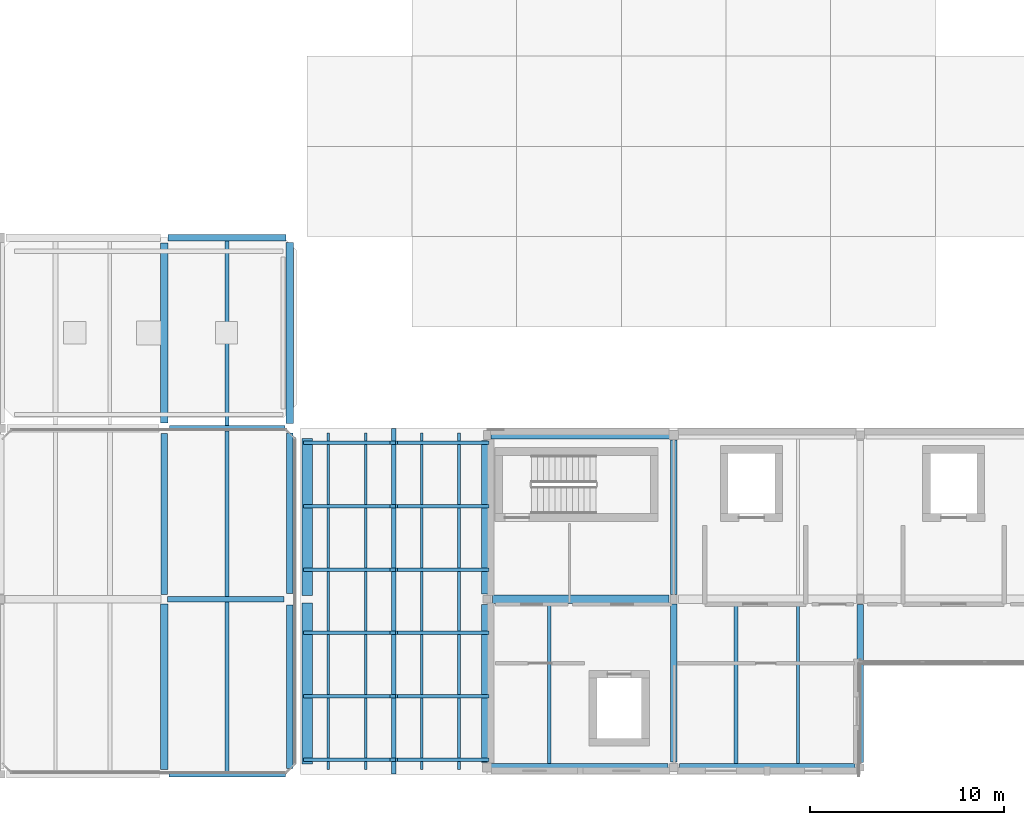
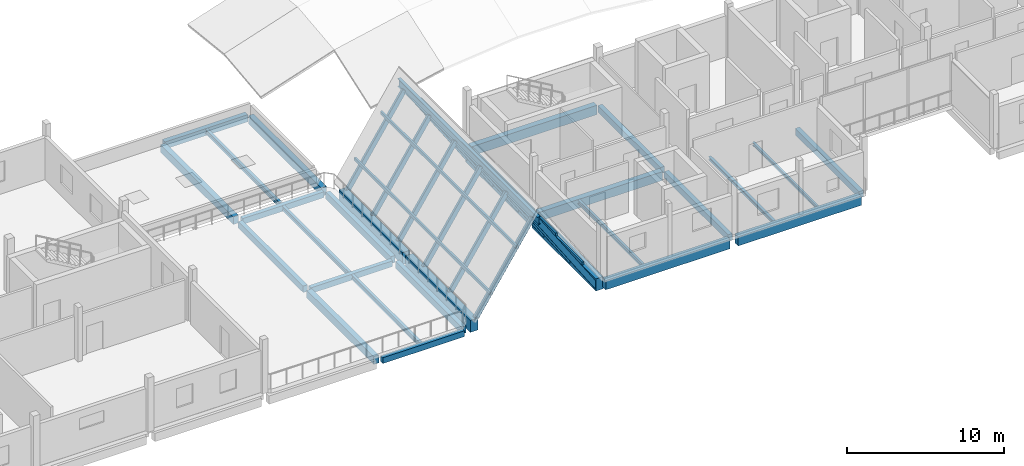
# One storey, part 5 of 35: 28 beams, 16 members.
"""IFC4 building model written with IfcOpenShell, lengths in metres."""

from ifc_helpers import new_model, si_unit, direction, frame, origin, origin_2d, place, context, subcontext, project, spatial, rectangle, i_section, extrude, material, material_profile, profile_set, type_object, element, save


model = new_model("IFC4")

# Units and contexts
model_context = context("Model", 3, precision=1e-05, world=origin(), true_north=direction((0.0, 1.0)))
body_context = subcontext(model_context, "Body", "Model", "MODEL_VIEW")
ifc_project = project(units=[si_unit("LENGTHUNIT", "METRE"), si_unit("AREAUNIT", "SQUARE_METRE"), si_unit("VOLUMEUNIT", "CUBIC_METRE"), si_unit("PLANEANGLEUNIT", "RADIAN"), si_unit("MASSUNIT", "GRAM", prefix="KILO")], contexts=[model_context])

# Site, building, storey
site_placement = place(None, origin())
site = spatial("IfcSite", under=ifc_project, at=site_placement, CompositionType="ELEMENT")
building_placement = place(site_placement, origin())
building = spatial("IfcBuilding", under=site, at=building_placement, Name="Birchvale Park Specialist Clinic", CompositionType="ELEMENT")
storey_placement = place(building_placement, frame((0.0, 0.0, 13.800048828125)))
storey = spatial("IfcBuildingStorey", under=building, at=storey_placement, Name="L03", CompositionType="ELEMENT", Elevation=13.800048828125)

# Beams
ifc_material_1 = material(Name="Concrete C40/50", Category="concrete")
ifc_material_profile_1 = material_profile(ifc_material_1, rectangle(XDim=0.419921875, YDim=0.719970703125, at=origin_2d()), Name="RCB-420x720")
ifc_profile_set_1 = profile_set([ifc_material_profile_1], Name="Concrete C40/50")
beam_type_1 = type_object("IfcBeamType", Name="BM-EXT-BG3", PredefinedType="BEAM", material=ifc_profile_set_1)
beam_1_placement = place(storey_placement, frame((61.5849609375, 17.14990234375, -0.64013671875), z_axis=(1.0, 0.0, 0.0), x_axis=(0.0, 1.0, 0.0)))
element("IfcBeam", 1, at=beam_1_placement, inside=storey, type_object=beam_type_1, Name="V4 L03 X girder 1", PredefinedType="BEAM", context=body_context, shape_type="SweptSolid", body=[
    extrude(rectangle(XDim=0.419921875, YDim=0.719970703125, at=origin_2d()), origin(), (0.0, 0.0, 1.0), 9.125),
])
beam_2_placement = place(storey_placement, frame((71.2900390625, 17.14990234375, -0.64013671875), z_axis=(1.0, 0.0, 0.0), x_axis=(0.0, 1.0, 0.0)))
element("IfcBeam", 2, at=beam_2_placement, inside=storey, type_object=beam_type_1, Name="V4 L03 X girder 2", PredefinedType="BEAM", context=body_context, shape_type="SweptSolid", body=[
    extrude(rectangle(XDim=0.419921875, YDim=0.719970703125, at=origin_2d()), origin(), (0.0, 0.0, 1.0), 9.044921875),
])
beam_3_placement = place(storey_placement, frame((61.610107421875, 34.25, -0.64013671875), z_axis=(1.0, 0.0, 0.0), x_axis=(0.0, 1.0, 0.0)))
element("IfcBeam", 3, at=beam_3_placement, inside=storey, type_object=beam_type_1, Name="V4 L03 X girder 12", PredefinedType="BEAM", context=body_context, shape_type="SweptSolid", body=[
    extrude(rectangle(XDim=0.419921875, YDim=0.719970703125, at=origin_2d()), origin(), (0.0, 0.0, 1.0), 9.204833984375),
])
ifc_material_profile_2 = material_profile(ifc_material_1, rectangle(XDim=0.3798828125, YDim=0.639892578125, at=origin_2d()), Name="RCB-380x640")
ifc_profile_set_2 = profile_set([ifc_material_profile_2], Name="Concrete C40/50")
beam_type_2 = type_object("IfcBeamType", Name="BM-EXT-BG5", PredefinedType="BEAM", material=ifc_profile_set_2)
beam_4_placement = place(storey_placement, frame((51.25, 34.840087890625, -0.594970703125), z_axis=(0.0, 1.0, 0.0), x_axis=(-1.0, 0.0, 0.0)))
element("IfcBeam", 4, at=beam_4_placement, inside=storey, type_object=beam_type_2, Name="V2 L03 Y girder 37", PredefinedType="BEAM", context=body_context, shape_type="SweptSolid", body=[
    extrude(rectangle(XDim=0.3798828125, YDim=0.639892578125, at=origin_2d()), origin(), (0.0, 0.0, 1.0), 9.2998046875),
])
ifc_material_profile_3 = material_profile(ifc_material_1, rectangle(XDim=0.320068359375, YDim=0.5400390625, at=origin_2d()), Name="RCB-320x540")
ifc_profile_set_3 = profile_set([ifc_material_profile_3], Name="Concrete C40/50")
beam_type_3 = type_object("IfcBeamType", Name="BM-EXT-BG7", PredefinedType="BEAM", material=ifc_profile_set_3)
beam_5_placement = place(storey_placement, frame((51.25, 17.090087890625, -0.580078125), z_axis=(0.0, 1.0, 0.0), x_axis=(-1.0, 0.0, 0.0)))
element("IfcBeam", 5, at=beam_5_placement, inside=storey, type_object=beam_type_3, Name="V2 L03 Y girder 35", PredefinedType="BEAM", context=body_context, shape_type="SweptSolid", body=[
    extrude(rectangle(XDim=0.320068359375, YDim=0.5400390625, at=origin_2d()), origin(), (0.0, 0.0, 1.0), 8.419921875),
])
beam_6_placement = place(storey_placement, frame((51.25, 26.090087890625, -0.580078125), z_axis=(0.0, 1.0, 0.0), x_axis=(-1.0, 0.0, 0.0)))
element("IfcBeam", 6, at=beam_6_placement, inside=storey, type_object=beam_type_3, Name="V2 L03 Y girder 36", PredefinedType="BEAM", context=body_context, shape_type="SweptSolid", body=[
    extrude(rectangle(XDim=0.320068359375, YDim=0.5400390625, at=origin_2d()), origin(), (0.0, 0.0, 1.0), 8.27001953125),
])
ifc_material_profile_4 = material_profile(ifc_material_1, rectangle(XDim=0.550048828125, YDim=0.93994140625, at=origin_2d()), Name="RCB-550x940")
ifc_profile_set_4 = profile_set([ifc_material_profile_4], Name="Concrete C40/50")
beam_type_4 = type_object("IfcBeamType", Name="BM-EXT-RB1", PredefinedType="BEAM", material=ifc_profile_set_4)
beam_7_placement = place(storey_placement, frame((61.39990234375, 17.409912109375, -0.75), z_axis=(0.0, 1.0, 0.0), x_axis=(-1.0, 0.0, 0.0)))
element("IfcBeam", 7, at=beam_7_placement, inside=storey, type_object=beam_type_4, Name="V4 L03 Y girder 18", PredefinedType="BEAM", context=body_context, shape_type="SweptSolid", body=[
    extrude(rectangle(XDim=0.550048828125, YDim=0.93994140625, at=origin_2d()), origin(), (0.0, 0.0, 1.0), 8.114990234375),
])
beam_8_placement = place(storey_placement, frame((61.39990234375, 26.074951171875, -0.75), z_axis=(0.0, 1.0, 0.0), x_axis=(-1.0, 0.0, 0.0)))
element("IfcBeam", 8, at=beam_8_placement, inside=storey, type_object=beam_type_4, Name="V4 L03 Y girder 19", PredefinedType="BEAM", context=body_context, shape_type="SweptSolid", body=[
    extrude(rectangle(XDim=0.550048828125, YDim=0.93994140625, at=origin_2d()), origin(), (0.0, 0.0, 1.0), 7.885009765625),
])
beam_9_placement = place(storey_placement, frame((52.14990234375, 17.340087890625, -0.679931640625), z_axis=(0.0, 1.0, 0.0), x_axis=(-1.0, 0.0, 0.0)))
element("IfcBeam", 9, at=beam_9_placement, inside=storey, type_object=beam_type_4, Name="L03 gable eave girder 52", PredefinedType="BEAM", context=body_context, shape_type="SweptSolid", body=[
    extrude(rectangle(XDim=0.550048828125, YDim=0.93994140625, at=origin_2d()), origin(), (0.0, 0.0, 1.0), 8.27001953125),
])
beam_10_placement = place(storey_placement, frame((52.14990234375, 25.989990234375, -0.679931640625), z_axis=(0.0, 1.0, 0.0), x_axis=(-1.0, 0.0, 0.0)))
element("IfcBeam", 10, at=beam_10_placement, inside=storey, type_object=beam_type_4, Name="L03 gable eave girder 52", PredefinedType="BEAM", context=body_context, shape_type="SweptSolid", body=[
    extrude(rectangle(XDim=0.550048828125, YDim=0.93994140625, at=origin_2d()), origin(), (0.0, 0.0, 1.0), 8.070068359375),
])
ifc_material_profile_5 = material_profile(ifc_material_1, rectangle(XDim=0.419921875, YDim=0.679931640625, at=origin_2d()), Name="RCB-420x680")
ifc_profile_set_5 = profile_set([ifc_material_profile_5], Name="Concrete C40/50")
beam_type_5 = type_object("IfcBeamType", Name="BM-INT-BG3", PredefinedType="BEAM", material=ifc_profile_set_5)
beam_11_placement = place(storey_placement, frame((61.675048828125, 25.800048828125, -0.6201171875), z_axis=(1.0, 0.0, 0.0), x_axis=(0.0, 1.0, 0.0)))
element("IfcBeam", 11, at=beam_11_placement, inside=storey, type_object=beam_type_5, Name="V4 L03 X girder 6", PredefinedType="BEAM", context=body_context, shape_type="SweptSolid", body=[
    extrude(rectangle(XDim=0.419921875, YDim=0.679931640625, at=origin_2d()), origin(), (0.0, 0.0, 1.0), 9.074951171875),
])
ifc_material_profile_6 = material_profile(ifc_material_1, rectangle(XDim=0.3798828125, YDim=0.60009765625, at=origin_2d()), Name="RCB-380x600")
ifc_profile_set_6 = profile_set([ifc_material_profile_6], Name="Concrete C40/50")
beam_type_6 = type_object("IfcBeamType", Name="BM-INT-BG5", PredefinedType="BEAM", material=ifc_profile_set_6)
beam_12_placement = place(storey_placement, frame((44.800048828125, 17.050048828125, -0.610107421875), z_axis=(0.0, 1.0, 0.0), x_axis=(-1.0, 0.0, 0.0)))
element("IfcBeam", 12, at=beam_12_placement, inside=storey, type_object=beam_type_6, Name="V2 L03 Y girder 32", PredefinedType="BEAM", context=body_context, shape_type="SweptSolid", body=[
    extrude(rectangle(XDim=0.3798828125, YDim=0.60009765625, at=origin_2d()), origin(), (0.0, 0.0, 1.0), 8.5),
])
beam_13_placement = place(storey_placement, frame((44.800048828125, 34.875, -0.574951171875), z_axis=(0.0, 1.0, 0.0), x_axis=(-1.0, 0.0, 0.0)))
element("IfcBeam", 13, at=beam_13_placement, inside=storey, type_object=beam_type_6, Name="V2 L03 Y girder 34", PredefinedType="BEAM", context=body_context, shape_type="SweptSolid", body=[
    extrude(rectangle(XDim=0.3798828125, YDim=0.60009765625, at=origin_2d()), origin(), (0.0, 0.0, 1.0), 9.25),
])
ifc_material_profile_7 = material_profile(ifc_material_1, rectangle(XDim=0.35009765625, YDim=0.550048828125, at=origin_2d()), Name="RCB-350x550")
ifc_profile_set_7 = profile_set([ifc_material_profile_7], Name="Concrete C40/50")
beam_type_7 = type_object("IfcBeamType", Name="BM-INT-BG6", PredefinedType="BEAM", material=ifc_profile_set_7)
beam_14_placement = place(storey_placement, frame((45.0, 44.39990234375, -0.550048828125), z_axis=(1.0, 0.0, 0.0), x_axis=(0.0, 1.0, 0.0)))
element("IfcBeam", 14, at=beam_14_placement, inside=storey, type_object=beam_type_7, Name="V2 L03 X girder 20", PredefinedType="BEAM", context=body_context, shape_type="SweptSolid", body=[
    extrude(rectangle(XDim=0.35009765625, YDim=0.550048828125, at=origin_2d()), origin(), (0.0, 0.0, 1.0), 6.06494140625),
])
ifc_material_profile_8 = material_profile(ifc_material_1, rectangle(XDim=0.320068359375, YDim=0.5, at=origin_2d()), Name="RCB-320x500")
ifc_profile_set_8 = profile_set([ifc_material_profile_8], Name="Concrete C40/50")
beam_type_8 = type_object("IfcBeamType", Name="BM-INT-BG7", PredefinedType="BEAM", material=ifc_profile_set_8)
beam_15_placement = place(storey_placement, frame((44.800048828125, 26.050048828125, -0.56005859375), z_axis=(0.0, 1.0, 0.0), x_axis=(-1.0, 0.0, 0.0)))
element("IfcBeam", 15, at=beam_15_placement, inside=storey, type_object=beam_type_8, Name="V2 L03 Y girder 33", PredefinedType="BEAM", context=body_context, shape_type="SweptSolid", body=[
    extrude(rectangle(XDim=0.320068359375, YDim=0.5, at=origin_2d()), origin(), (0.0, 0.0, 1.0), 8.27490234375),
])
beam_16_placement = place(storey_placement, frame((71.0, 17.43994140625, -0.530029296875), z_axis=(0.0, 1.0, 0.0), x_axis=(-1.0, 0.0, 0.0)))
element("IfcBeam", 16, at=beam_16_placement, inside=storey, type_object=beam_type_8, Name="V4 L03 Y girder 20", PredefinedType="BEAM", context=body_context, shape_type="SweptSolid", body=[
    extrude(rectangle(XDim=0.320068359375, YDim=0.5, at=origin_2d()), origin(), (0.0, 0.0, 1.0), 8.110107421875),
])
beam_17_placement = place(storey_placement, frame((71.0, 26.050048828125, -0.530029296875), z_axis=(0.0, 1.0, 0.0), x_axis=(-1.0, 0.0, 0.0)))
element("IfcBeam", 17, at=beam_17_placement, inside=storey, type_object=beam_type_8, Name="V4 L03 Y girder 21", PredefinedType="BEAM", context=body_context, shape_type="SweptSolid", body=[
    extrude(rectangle(XDim=0.320068359375, YDim=0.5, at=origin_2d()), origin(), (0.0, 0.0, 1.0), 7.93994140625),
])
beam_18_placement = place(storey_placement, frame((80.60009765625, 17.4150390625, -0.530029296875), z_axis=(0.0, 1.0, 0.0), x_axis=(-1.0, 0.0, 0.0)))
element("IfcBeam", 18, at=beam_18_placement, inside=storey, type_object=beam_type_8, Name="V4 L03 Y girder 22", PredefinedType="BEAM", context=body_context, shape_type="SweptSolid", body=[
    extrude(rectangle(XDim=0.320068359375, YDim=0.5, at=origin_2d()), origin(), (0.0, 0.0, 1.0), 8.10986328125),
])
ifc_material_profile_9 = material_profile(ifc_material_1, rectangle(XDim=0.300048828125, YDim=0.449951171875, at=origin_2d()), Name="RCB-300x450")
ifc_profile_set_9 = profile_set([ifc_material_profile_9], Name="Concrete C40/50")
beam_type_9 = type_object("IfcBeamType", Name="BM-INT-BG8", PredefinedType="BEAM", material=ifc_profile_set_9)
beam_19_placement = place(storey_placement, frame((45.050048828125, 16.800048828125, -0.53515625), z_axis=(1.0, 0.0, 0.0), x_axis=(0.0, 1.0, 0.0)))
element("IfcBeam", 19, at=beam_19_placement, inside=storey, type_object=beam_type_9, Name="V2 L03 X girder 5", PredefinedType="BEAM", context=body_context, shape_type="SweptSolid", body=[
    extrude(rectangle(XDim=0.300048828125, YDim=0.449951171875, at=origin_2d()), origin(), (0.0, 0.0, 1.0), 5.989990234375),
])
beam_20_placement = place(storey_placement, frame((44.97509765625, 25.800048828125, -0.53515625), z_axis=(1.0, 0.0, 0.0), x_axis=(0.0, 1.0, 0.0)))
element("IfcBeam", 20, at=beam_20_placement, inside=storey, type_object=beam_type_9, Name="V2 L03 X girder 10", PredefinedType="BEAM", context=body_context, shape_type="SweptSolid", body=[
    extrude(rectangle(XDim=0.300048828125, YDim=0.449951171875, at=origin_2d()), origin(), (0.0, 0.0, 1.0), 5.98486328125),
])
beam_21_placement = place(storey_placement, frame((45.074951171875, 34.60009765625, -0.53515625), z_axis=(1.0, 0.0, 0.0), x_axis=(0.0, 1.0, 0.0)))
element("IfcBeam", 21, at=beam_21_placement, inside=storey, type_object=beam_type_9, Name="V2 L03 X girder 15", PredefinedType="BEAM", context=body_context, shape_type="SweptSolid", body=[
    extrude(rectangle(XDim=0.300048828125, YDim=0.449951171875, at=origin_2d()), origin(), (0.0, 0.0, 1.0), 5.93505859375),
])

# Members
ifc_material_2 = material(Name="Glulam GL28h", Category="wood")
ifc_material_profile_10 = material_profile(ifc_material_2, rectangle(XDim=0.139892578125, YDim=0.239990234375, at=origin_2d()), Name="GL-140x240")
ifc_profile_set_10 = profile_set([ifc_material_profile_10], Name="Glulam GL28h")
member_type_1 = type_object("IfcMemberType", Name="MEM-GP1", PredefinedType="PURLIN", material=ifc_profile_set_10)
for number, where, z_axis, x_axis, name in (
    (22, (53.239990234375, 17.050048828125, 1.552734375), (0.0, 1.0, 0.0), (-1.0, 0.0, 0.0), "L03 glulam roof purlin V4-B1 W.1"),
    (23, (55.159912109375, 17.050048828125, 4.472900390625), (0.0, 1.0, 0.0), (-1.0, 0.0, 0.0), "L03 glulam roof purlin V4-B1 W.2"),
    (24, (58.0400390625, 17.050048828125, 4.472900390625), (0.0, 1.0, 0.0), (-1.0, 0.0, 0.0), "L03 glulam roof purlin V4-B1 E.1"),
    (25, (59.9599609375, 17.050048828125, 1.552734375), (0.0, 1.0, 0.0), (-1.0, 0.0, 0.0), "L03 glulam roof purlin V4-B1 E.2"),
):
    element("IfcMember", number, at=place(storey_placement, frame(where, z_axis=z_axis, x_axis=x_axis)), inside=storey, type_object=member_type_1, Name=name, PredefinedType="PURLIN", context=body_context, shape_type="SweptSolid", body=[
        extrude(rectangle(XDim=0.139892578125, YDim=0.239990234375, at=origin_2d()), origin(), (0.0, 0.0, 1.0), 17.300048828125),
    ])
ifc_material_profile_11 = material_profile(ifc_material_2, rectangle(XDim=0.179931640625, YDim=0.360107421875, at=origin_2d()), Name="GL-180x360")
ifc_profile_set_11 = profile_set([ifc_material_profile_11], Name="Glulam GL28h")
member_type_2 = type_object("IfcMemberType", Name="MEM-GR1", PredefinedType="RAFTER", material=ifc_profile_set_11)
for number, where, z_axis, x_axis, name in (
    (26, (52.1201171875, 17.550048828125, -0.696533203125), (0.549399603167, 0.0, 0.835559738164), (0.0, 1.0, 0.0), "L03 glulam roof rafter V4-B1 W.1"),
    (27, (52.1201171875, 20.81005859375, -0.696533203125), (0.549399603167, 0.0, 0.835559738164), (0.0, 1.0, 0.0), "L03 glulam roof rafter V4-B1 W.2"),
    (28, (52.1201171875, 24.070068359375, -0.696533203125), (0.549399603167, 0.0, 0.835559738164), (0.0, 1.0, 0.0), "L03 glulam roof rafter V4-B1 W.3"),
    (29, (52.1201171875, 27.330078125, -0.696533203125), (0.549399603167, 0.0, 0.835559738164), (0.0, 1.0, 0.0), "L03 glulam roof rafter V4-B1 W.4"),
    (30, (52.1201171875, 30.590087890625, -0.696533203125), (0.549399603167, 0.0, 0.835559738164), (0.0, 1.0, 0.0), "L03 glulam roof rafter V4-B1 W.5"),
    (31, (52.1201171875, 33.85009765625, -0.696533203125), (0.549399603167, 0.0, 0.835559738164), (0.0, 1.0, 0.0), "L03 glulam roof rafter V4-B1 W.6"),
):
    element("IfcMember", number, at=place(storey_placement, frame(where, z_axis=z_axis, x_axis=x_axis)), inside=storey, type_object=member_type_2, Name=name, PredefinedType="RAFTER", context=body_context, shape_type="SweptSolid", body=[
        extrude(rectangle(XDim=0.179931640625, YDim=0.360107421875, at=origin_2d()), origin(), (0.0, 0.0, 1.0), 8.063232421875),
    ])
for number, where, z_axis, x_axis, name in (
    (32, (56.64990234375, 17.550048828125, 6.040771484375), (0.549420455831, 0.0, -0.835546026689), (0.0, 1.0, 0.0), "L03 glulam roof rafter V4-B1 E.1"),
    (33, (56.64990234375, 20.81005859375, 6.040771484375), (0.549420455831, 0.0, -0.835546026689), (0.0, 1.0, 0.0), "L03 glulam roof rafter V4-B1 E.2"),
    (34, (56.64990234375, 24.070068359375, 6.040771484375), (0.549420455831, 0.0, -0.835546026689), (0.0, 1.0, 0.0), "L03 glulam roof rafter V4-B1 E.3"),
    (35, (56.64990234375, 27.330078125, 6.040771484375), (0.549420455831, 0.0, -0.835546026689), (0.0, 1.0, 0.0), "L03 glulam roof rafter V4-B1 E.4"),
    (36, (56.64990234375, 30.590087890625, 6.040771484375), (0.549420455831, 0.0, -0.835546026689), (0.0, 1.0, 0.0), "L03 glulam roof rafter V4-B1 E.5"),
    (37, (56.64990234375, 33.85009765625, 6.040771484375), (0.549420455831, 0.0, -0.835546026689), (0.0, 1.0, 0.0), "L03 glulam roof rafter V4-B1 E.6"),
):
    element("IfcMember", number, at=place(storey_placement, frame(where, z_axis=z_axis, x_axis=x_axis)), inside=storey, type_object=member_type_2, Name=name, PredefinedType="RAFTER", context=body_context, shape_type="SweptSolid", body=[
        extrude(rectangle(XDim=0.179931640625, YDim=0.360107421875, at=origin_2d()), origin(), (0.0, 0.0, 1.0), 8.554931640625),
    ])

# Beams
ifc_material_3 = material(Name="Steel ASTM A992 Grade 50", Category="steel")
ifc_material_profile_12 = material_profile(ifc_material_3, i_section(OverallWidth=0.22900390625, OverallDepth=0.612060546875, WebThickness=0.011962890625, FlangeThickness=0.01953125, at=origin_2d()), Name="W24X84")
ifc_profile_set_12 = profile_set([ifc_material_profile_12], Name="Steel ASTM A992 Grade 50")
beam_type_10 = type_object("IfcBeamType", Name="STL-EXT-SB2", PredefinedType="BEAM", material=ifc_profile_set_12)
beam_22_placement = place(storey_placement, frame((56.60009765625, 16.820068359375, 6.183837890625), z_axis=(0.0, 1.0, 0.0), x_axis=(-1.0, 0.0, 0.0)))
element("IfcBeam", 38, at=beam_22_placement, inside=storey, type_object=beam_type_10, Name="L03 gable ridge beam V4-B1", PredefinedType="BEAM", context=body_context, shape_type="SweptSolid", body=[
    extrude(i_section(OverallWidth=0.22900390625, OverallDepth=0.612060546875, WebThickness=0.011962890625, FlangeThickness=0.01953125, at=origin_2d()), origin(), (0.0, 0.0, 1.0), 17.760009765625),
])
ifc_material_profile_13 = material_profile(ifc_material_3, i_section(OverallWidth=0.2041015625, OverallDepth=0.35107421875, WebThickness=0.008544921875, FlangeThickness=0.01513671875, at=origin_2d()), Name="W14X48")
ifc_profile_set_13 = profile_set([ifc_material_profile_13], Name="Steel ASTM A992 Grade 50")
beam_type_11 = type_object("IfcBeamType", Name="STL-INT-SJ1", PredefinedType="JOIST", material=ifc_profile_set_13)
beam_23_placement = place(storey_placement, frame((48.02490234375, 16.949951171875, -0.485595703125), z_axis=(0.0, 1.0, 0.0), x_axis=(-1.0, 0.0, 0.0)))
element("IfcBeam", 39, at=beam_23_placement, inside=storey, type_object=beam_type_11, Name="V2 L03 secondary floor joist 19", PredefinedType="JOIST", context=body_context, shape_type="SweptSolid", body=[
    extrude(i_section(OverallWidth=0.2041015625, OverallDepth=0.35107421875, WebThickness=0.008544921875, FlangeThickness=0.01513671875, at=origin_2d()), origin(), (0.0, 0.0, 1.0), 8.699951171875),
])
beam_24_placement = place(storey_placement, frame((48.02490234375, 25.949951171875, -0.485595703125), z_axis=(0.0, 1.0, 0.0), x_axis=(-1.0, 0.0, 0.0)))
element("IfcBeam", 40, at=beam_24_placement, inside=storey, type_object=beam_type_11, Name="V2 L03 secondary floor joist 20", PredefinedType="JOIST", context=body_context, shape_type="SweptSolid", body=[
    extrude(i_section(OverallWidth=0.2041015625, OverallDepth=0.35107421875, WebThickness=0.008544921875, FlangeThickness=0.01513671875, at=origin_2d()), origin(), (0.0, 0.0, 1.0), 8.5),
])
beam_25_placement = place(storey_placement, frame((48.02490234375, 34.75, -0.450439453125), z_axis=(0.0, 1.0, 0.0), x_axis=(-1.0, 0.0, 0.0)))
element("IfcBeam", 41, at=beam_25_placement, inside=storey, type_object=beam_type_11, Name="V2 L03 secondary floor joist 21", PredefinedType="JOIST", context=body_context, shape_type="SweptSolid", body=[
    extrude(i_section(OverallWidth=0.2041015625, OverallDepth=0.35107421875, WebThickness=0.008544921875, FlangeThickness=0.01513671875, at=origin_2d()), origin(), (0.0, 0.0, 1.0), 9.47509765625),
])
ifc_material_profile_14 = material_profile(ifc_material_3, i_section(OverallWidth=0.1669921875, OverallDepth=0.31689453125, WebThickness=0.007568359375, FlangeThickness=0.01318359375, at=origin_2d()), Name="W12X35")
ifc_profile_set_14 = profile_set([ifc_material_profile_14], Name="Steel ASTM A992 Grade 50")
beam_type_12 = type_object("IfcBeamType", Name="STL-INT-SJ3", PredefinedType="JOIST", material=ifc_profile_set_14)
beam_26_placement = place(storey_placement, frame((64.60009765625, 17.360107421875, -0.4384765625), z_axis=(0.0, 1.0, 0.0), x_axis=(-1.0, 0.0, 0.0)))
element("IfcBeam", 42, at=beam_26_placement, inside=storey, type_object=beam_type_12, Name="V4 L03 secondary floor joist 1", PredefinedType="JOIST", context=body_context, shape_type="SweptSolid", body=[
    extrude(i_section(OverallWidth=0.1669921875, OverallDepth=0.31689453125, WebThickness=0.007568359375, FlangeThickness=0.01318359375, at=origin_2d()), origin(), (0.0, 0.0, 1.0), 8.22998046875),
])
ifc_material_profile_15 = material_profile(ifc_material_3, i_section(OverallWidth=0.202880859375, OverallDepth=0.251953125, WebThickness=0.008056640625, FlangeThickness=0.013427734375, at=origin_2d()), Name="W10X39")
ifc_profile_set_15 = profile_set([ifc_material_profile_15], Name="Steel ASTM A992 Grade 50")
beam_type_13 = type_object("IfcBeamType", Name="STL-INT-SJ4", PredefinedType="JOIST", material=ifc_profile_set_15)
beam_27_placement = place(storey_placement, frame((74.199951171875, 17.360107421875, -0.406005859375), z_axis=(0.0, 1.0, 0.0), x_axis=(-1.0, 0.0, 0.0)))
element("IfcBeam", 43, at=beam_27_placement, inside=storey, type_object=beam_type_13, Name="V4 L03 secondary floor joist 2", PredefinedType="JOIST", context=body_context, shape_type="SweptSolid", body=[
    extrude(i_section(OverallWidth=0.202880859375, OverallDepth=0.251953125, WebThickness=0.008056640625, FlangeThickness=0.013427734375, at=origin_2d()), origin(), (0.0, 0.0, 1.0), 8.22998046875),
])
ifc_material_profile_16 = material_profile(ifc_material_3, i_section(OverallWidth=0.14697265625, OverallDepth=0.261962890625, WebThickness=0.006591796875, FlangeThickness=0.01123046875, at=origin_2d()), Name="W10X26")
ifc_profile_set_16 = profile_set([ifc_material_profile_16], Name="Steel ASTM A992 Grade 50")
beam_type_14 = type_object("IfcBeamType", Name="STL-INT-SJ5", PredefinedType="JOIST", material=ifc_profile_set_16)
beam_28_placement = place(storey_placement, frame((77.39990234375, 17.360107421875, -0.4111328125), z_axis=(0.0, 1.0, 0.0), x_axis=(-1.0, 0.0, 0.0)))
element("IfcBeam", 44, at=beam_28_placement, inside=storey, type_object=beam_type_14, Name="V4 L03 secondary floor joist 3", PredefinedType="JOIST", context=body_context, shape_type="SweptSolid", body=[
    extrude(i_section(OverallWidth=0.14697265625, OverallDepth=0.261962890625, WebThickness=0.006591796875, FlangeThickness=0.01123046875, at=origin_2d()), origin(), (0.0, 0.0, 1.0), 8.22998046875),
])

save(model, "model.ifc")
